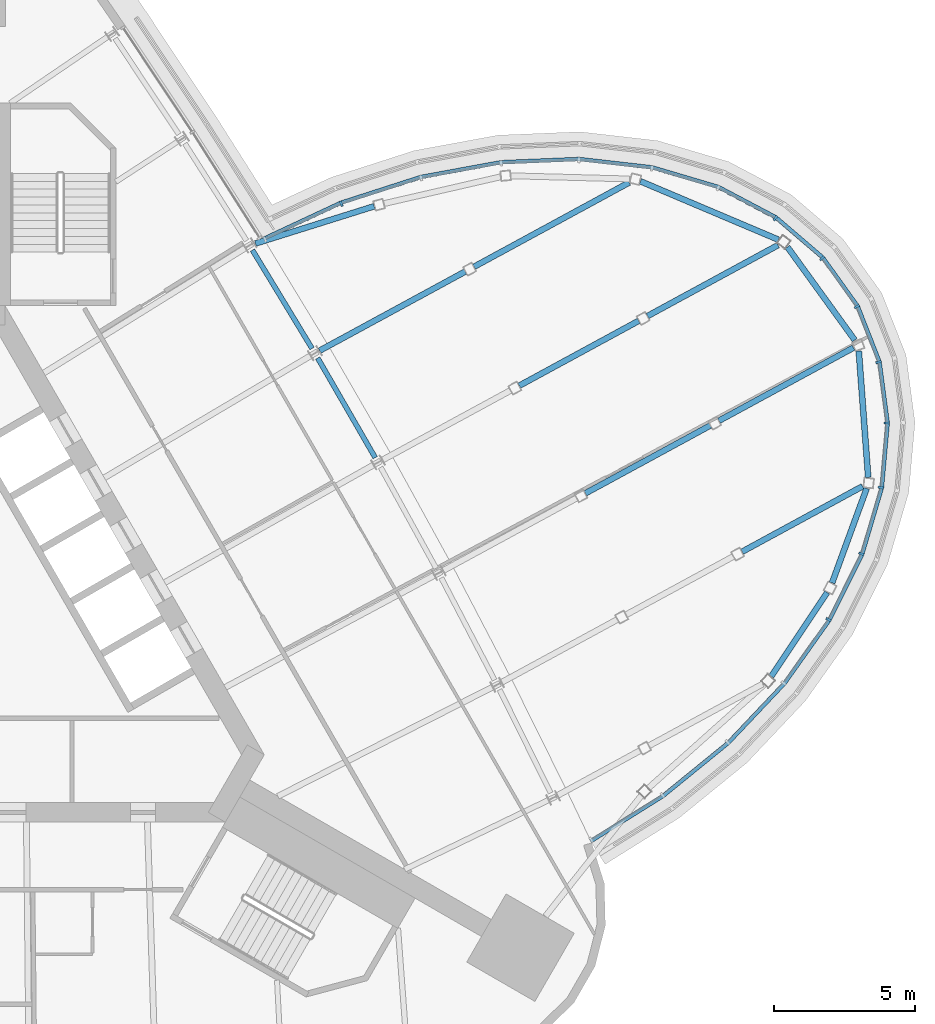
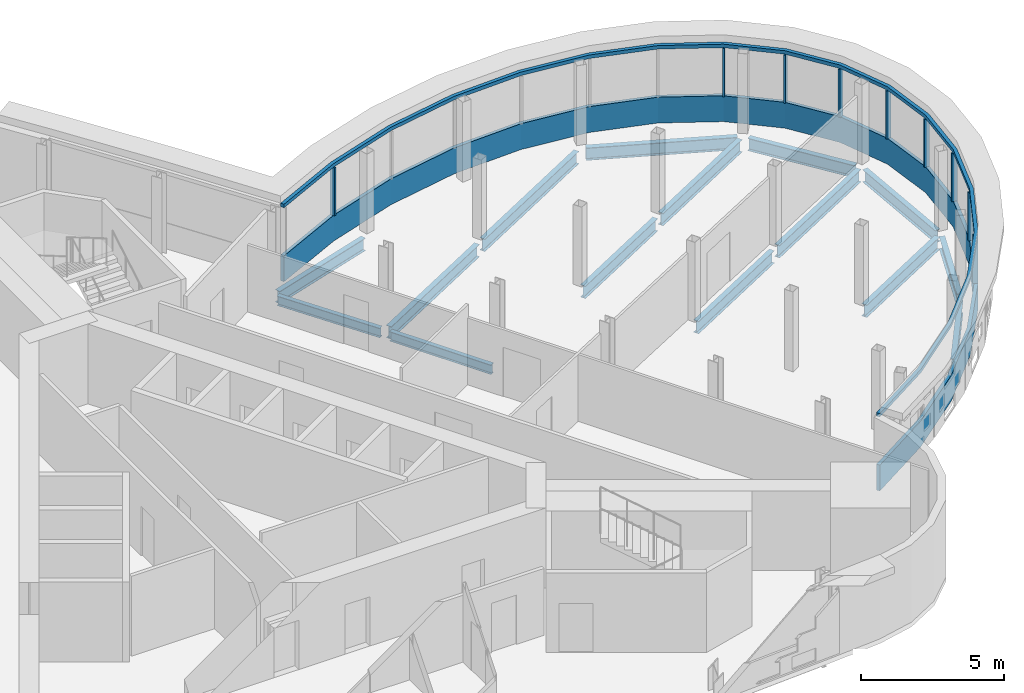
# One storey, part 7 of 15: 15 beams, 11 members, 1 element without a shape of its own.
"""IFC4 building model written with IfcOpenShell, lengths in metres."""

from ifc_helpers import new_model, si_unit, direction, frame, origin, origin_2d, place, context, subcontext, project, spatial, polyline, rectangle, i_section, outline, extrude, material, material_profile, profile_set, type_object, element, aggregate, save


model = new_model("IFC4")

# Units and contexts
model_context = context("Model", 3, precision=1e-05, world=origin(), true_north=direction((0.0, 1.0)))
body_context = subcontext(model_context, "Body", "Model", "MODEL_VIEW")
ifc_project = project(units=[si_unit("LENGTHUNIT", "METRE"), si_unit("AREAUNIT", "SQUARE_METRE"), si_unit("VOLUMEUNIT", "CUBIC_METRE"), si_unit("PLANEANGLEUNIT", "RADIAN"), si_unit("MASSUNIT", "GRAM", prefix="KILO")], contexts=[model_context])

# Site, building, storey
site_placement = place(None, origin())
site = spatial("IfcSite", under=ifc_project, at=site_placement, CompositionType="ELEMENT")
building_placement = place(site_placement, origin())
building = spatial("IfcBuilding", under=site, at=building_placement, Name="Noor Cloister Tower", CompositionType="ELEMENT")
storey_placement = place(building_placement, frame((0.0, 0.0, 177.89990234375)))
storey = spatial("IfcBuildingStorey", under=building, at=storey_placement, Name="L45", CompositionType="ELEMENT", Elevation=177.89990234375)

# Curtain wall, members
ifc_material_1 = material(Name="Aluminium 6063-T6 anodised", Category="aluminium")
curtain_wall_type = type_object("IfcCurtainWallType", Name="Sky bar curtain wall, lower bars CW2", PredefinedType="NOTDEFINED", material=ifc_material_1)
curtain_wall_placement = place(storey_placement, origin())
curtain_wall = element("IfcCurtainWall", 1, at=curtain_wall_placement, inside=storey, type_object=curtain_wall_type, Name="CW2 L45 NE sky bar run 3", PredefinedType="NOTDEFINED")
ifc_material_2 = material(Name="Aluminium 6063-T6 anodised", Category="aluminium")
member_type_1 = type_object("IfcMemberType", Name="Head transom CW2 150", PredefinedType="USERDEFINED", material=ifc_material_2)
member_1_placement = place(storey_placement, frame((0.0, 0.0, 3.150146484375)))
member_1 = element("IfcMember", 2, at=member_1_placement, type_object=member_type_1, Name="CW2 head transom", ObjectType="TRANSOM", PredefinedType="USERDEFINED", context=body_context, shape_type="SweptSolid", body=[
    extrude(outline(polyline([(22.264892578125, -7.662353515625), (24.84619140625, -6.048095703125), (27.17138671875, -4.155517578125), (29.16943359375, -2.0419921875), (30.780029296875, 0.22802734375), (31.953857421875, 2.5859375), (32.65576171875, 4.959716796875), (32.86376953125, 7.27734375), (32.572021484375, 9.468505859375), (31.7890625, 11.466552734375), (30.5390625, 13.210693359375), (28.85986328125, 14.648193359375), (26.80224609375, 15.735107421875), (24.428955078125, 16.4384765625), (21.81201171875, 16.737060546875), (19.03125, 16.62158203125), (16.170654296875, 16.095947265625), (13.3173828125, 15.175537109375), (10.55810546875, 13.888671875), (10.617431640625, 13.76171875), (13.36865234375, 15.044921875), (16.204833984375, 15.959716796875), (19.046875, 16.482177734375), (21.80712890625, 16.5966796875), (24.40087890625, 16.30078125), (26.749267578125, 15.60498046875), (28.780517578125, 14.53173828125), (30.435302734375, 13.115478515625), (31.665283203125, 11.399169921875), (32.435546875, 9.43310546875), (32.722900390625, 7.2744140625), (32.517333984375, 4.986083984375), (31.8232421875, 2.637451171875), (30.65966796875, 0.30029296875), (29.06103515625, -1.952880859375), (27.075927734375, -4.052490234375), (24.7646484375, -5.933837890625), (22.190673828125, -7.54345703125), (22.264892578125, -7.662353515625)])), origin(), (0.0, 0.0, 1.0), 0.14990234375),
])
ifc_material_3 = material(Name="Aluminium 6063-T6 anodised", Category="aluminium")
ifc_material_profile_1 = material_profile(ifc_material_3, rectangle(XDim=0.199951171875, YDim=0.080078125, at=origin_2d()), Name="200 x 80 mullion")
ifc_profile_set_1 = profile_set([ifc_material_profile_1], Name="Aluminium 6063-T6 anodised")
member_type_2 = type_object("IfcMemberType", Name="Mullion CW2 80 x 200", PredefinedType="MULLION", material=ifc_profile_set_1)
member_2_placement = place(storey_placement, frame((30.694091796875, 0.27978515625, 1.10009765625), z_axis=(0.0, 0.0, 1.0), x_axis=(-0.857964763902, 0.513708539838, 0.0)))
member_2 = element("IfcMember", 3, at=member_2_placement, type_object=member_type_2, Name="CW2 mullion 5", PredefinedType="MULLION", context=body_context, shape_type="SweptSolid", body=[
    extrude(rectangle(XDim=0.199951171875, YDim=0.080078125, at=origin_2d()), origin(), (0.0, 0.0, 1.0), 2.050048828125),
])
member_3_placement = place(storey_placement, frame((31.860595703125, 2.62255859375, 1.10009765625), z_axis=(0.0, 0.0, 1.0), x_axis=(-0.930621457837, 0.36598319936, 0.0)))
member_3 = element("IfcMember", 4, at=member_3_placement, type_object=member_type_2, Name="CW2 mullion 6", PredefinedType="MULLION", context=body_context, shape_type="SweptSolid", body=[
    extrude(rectangle(XDim=0.199951171875, YDim=0.080078125, at=origin_2d()), origin(), (0.0, 0.0, 1.0), 2.050048828125),
])
member_4_placement = place(storey_placement, frame((32.556884765625, 4.978515625, 1.10009765625), z_axis=(0.0, 0.0, 1.0), x_axis=(-0.982289781945, 0.187368044999, 0.0)))
member_4 = element("IfcMember", 5, at=member_4_placement, type_object=member_type_2, Name="CW2 mullion 7", PredefinedType="MULLION", context=body_context, shape_type="SweptSolid", body=[
    extrude(rectangle(XDim=0.199951171875, YDim=0.080078125, at=origin_2d()), origin(), (0.0, 0.0, 1.0), 2.050048828125),
])
member_5_placement = place(storey_placement, frame((32.76318359375, 7.275146484375, 1.10009765625), z_axis=(0.0, 0.0, 1.0), x_axis=(-0.999770679664, -0.021414669843, 0.0)))
member_5 = element("IfcMember", 6, at=member_5_placement, type_object=member_type_2, Name="CW2 mullion 8", PredefinedType="MULLION", context=body_context, shape_type="SweptSolid", body=[
    extrude(rectangle(XDim=0.199951171875, YDim=0.080078125, at=origin_2d()), origin(), (0.0, 0.0, 1.0), 2.050048828125),
])
member_6_placement = place(storey_placement, frame((32.474365234375, 9.443359375, 1.10009765625), z_axis=(0.0, 0.0, 1.0), x_axis=(-0.968191923464, -0.250208711558, 0.0)))
member_6 = element("IfcMember", 7, at=member_6_placement, type_object=member_type_2, Name="CW2 mullion 9", PredefinedType="MULLION", context=body_context, shape_type="SweptSolid", body=[
    extrude(rectangle(XDim=0.199951171875, YDim=0.080078125, at=origin_2d()), origin(), (0.0, 0.0, 1.0), 2.050048828125),
])
member_7_placement = place(storey_placement, frame((31.70068359375, 11.41845703125, 1.10009765625), z_axis=(0.0, 0.0, 1.0), x_axis=(-0.878721831254, -0.477334205015, 0.0)))
member_7 = element("IfcMember", 8, at=member_7_placement, type_object=member_type_2, Name="CW2 mullion 10", PredefinedType="MULLION", context=body_context, shape_type="SweptSolid", body=[
    extrude(rectangle(XDim=0.199951171875, YDim=0.080078125, at=origin_2d()), origin(), (0.0, 0.0, 1.0), 2.050048828125),
])
member_8_placement = place(storey_placement, frame((30.46484375, 13.142578125, 1.10009765625), z_axis=(0.0, 0.0, 1.0), x_axis=(-0.736887925537, -0.676014929715, 0.0)))
member_8 = element("IfcMember", 9, at=member_8_placement, type_object=member_type_2, Name="CW2 mullion 11", PredefinedType="MULLION", context=body_context, shape_type="SweptSolid", body=[
    extrude(rectangle(XDim=0.199951171875, YDim=0.080078125, at=origin_2d()), origin(), (0.0, 0.0, 1.0), 2.050048828125),
])
member_9_placement = place(storey_placement, frame((28.80322265625, 14.56494140625, 1.10009765625), z_axis=(0.0, 0.0, 1.0), x_axis=(-0.562143787996, -0.827039516358, 0.0)))
member_9 = element("IfcMember", 10, at=member_9_placement, type_object=member_type_2, Name="CW2 mullion 12", PredefinedType="MULLION", context=body_context, shape_type="SweptSolid", body=[
    extrude(rectangle(XDim=0.199951171875, YDim=0.080078125, at=origin_2d()), origin(), (0.0, 0.0, 1.0), 2.050048828125),
])
member_10_placement = place(storey_placement, frame((13.35400390625, 15.082275390625, 1.10009765625), z_axis=(0.0, 0.0, 1.0), x_axis=(0.36553306319, -0.930798356098, 0.0)))
member_10 = element("IfcMember", 11, at=member_10_placement, type_object=member_type_2, Name="CW2 mullion 18", PredefinedType="MULLION", context=body_context, shape_type="SweptSolid", body=[
    extrude(rectangle(XDim=0.199951171875, YDim=0.080078125, at=origin_2d()), origin(), (0.0, 0.0, 1.0), 2.050048828125),
])

# Beams
ifc_material_4 = material(Name="Steel ASTM A992 Gr 50", Category="steel")
ifc_material_profile_2 = material_profile(ifc_material_4, i_section(OverallWidth=0.208984375, OverallDepth=0.532958984375, WebThickness=0.01025390625, FlangeThickness=0.015625, FilletRadius=0.0126953125, at=origin_2d()), Name="W530x92")
ifc_profile_set_2 = profile_set([ifc_material_profile_2], Name="Steel ASTM A992 Gr 50")
beam_type_1 = type_object("IfcBeamType", Name="Pod floor beam W530x92", PredefinedType="BEAM", material=ifc_profile_set_2)
beam_1_placement = place(storey_placement, frame((27.616943359375, 2.6962890625, -0.46630859375), z_axis=(0.878711251996, 0.477353679796, 0.0), x_axis=(-0.477353679796, 0.878711251996, 0.0)))
element("IfcBeam", 12, at=beam_1_placement, inside=storey, type_object=beam_type_1, Name="Pod floor beam 3 L45 line 2 span 3", PredefinedType="BEAM", context=body_context, shape_type="SweptSolid", body=[
    extrude(i_section(OverallWidth=0.208984375, OverallDepth=0.532958984375, WebThickness=0.01025390625, FlangeThickness=0.015625, FilletRadius=0.0126953125, at=origin_2d()), origin(), (0.0, 0.0, 1.0), 4.876708984375),
])
beam_2_placement = place(storey_placement, frame((22.03955078125, 4.773681640625, -0.46630859375), z_axis=(0.878731937181, 0.477315600603, 0.0), x_axis=(-0.477315600603, 0.878731937181, 0.0)))
element("IfcBeam", 13, at=beam_2_placement, inside=storey, type_object=beam_type_1, Name="Pod floor beam 3 L45 line 3 span 2", PredefinedType="BEAM", context=body_context, shape_type="SweptSolid", body=[
    extrude(i_section(OverallWidth=0.208984375, OverallDepth=0.532958984375, WebThickness=0.01025390625, FlangeThickness=0.015625, FilletRadius=0.0126953125, at=origin_2d()), origin(), (0.0, 0.0, 1.0), 5.056640625),
])
beam_3_placement = place(storey_placement, frame((26.795654296875, 7.357421875, -0.46630859375), z_axis=(0.878728777116, 0.477321418196, 0.0), x_axis=(-0.477321418196, 0.878728777116, 0.0)))
element("IfcBeam", 14, at=beam_3_placement, inside=storey, type_object=beam_type_1, Name="Pod floor beam 3 L45 line 3 span 3", PredefinedType="BEAM", context=body_context, shape_type="SweptSolid", body=[
    extrude(i_section(OverallWidth=0.208984375, OverallDepth=0.532958984375, WebThickness=0.01025390625, FlangeThickness=0.015625, FilletRadius=0.0126953125, at=origin_2d()), origin(), (0.0, 0.0, 1.0), 5.44482421875),
])
beam_4_placement = place(storey_placement, frame((19.6875, 8.603759765625, -0.46630859375), z_axis=(0.878731276568, 0.47731681678, 0.0), x_axis=(-0.47731681678, 0.878731276568, 0.0)))
element("IfcBeam", 15, at=beam_4_placement, inside=storey, type_object=beam_type_1, Name="Pod floor beam 3 L45 line 4 span 2", PredefinedType="BEAM", context=body_context, shape_type="SweptSolid", body=[
    extrude(i_section(OverallWidth=0.208984375, OverallDepth=0.532958984375, WebThickness=0.01025390625, FlangeThickness=0.015625, FilletRadius=0.0126953125, at=origin_2d()), origin(), (0.0, 0.0, 1.0), 4.837646484375),
])
beam_5_placement = place(storey_placement, frame((24.251220703125, 11.082763671875, -0.46630859375), z_axis=(0.878717215185, 0.477342702612, 0.0), x_axis=(-0.477342702612, 0.878717215185, 0.0)))
element("IfcBeam", 16, at=beam_5_placement, inside=storey, type_object=beam_type_1, Name="Pod floor beam 3 L45 line 4 span 3", PredefinedType="BEAM", context=body_context, shape_type="SweptSolid", body=[
    extrude(i_section(OverallWidth=0.208984375, OverallDepth=0.532958984375, WebThickness=0.01025390625, FlangeThickness=0.015625, FilletRadius=0.0126953125, at=origin_2d()), origin(), (0.0, 0.0, 1.0), 5.283447265625),
])
beam_6_placement = place(storey_placement, frame((12.58544921875, 9.851806640625, -0.46630859375), z_axis=(0.878721935652, 0.47733401283, 0.0), x_axis=(-0.47733401283, 0.878721935652, 0.0)))
element("IfcBeam", 17, at=beam_6_placement, inside=storey, type_object=beam_type_1, Name="Pod floor beam 3 L45 line 5 span 1", PredefinedType="BEAM", context=body_context, shape_type="SweptSolid", body=[
    extrude(i_section(OverallWidth=0.208984375, OverallDepth=0.532958984375, WebThickness=0.01025390625, FlangeThickness=0.015625, FilletRadius=0.0126953125, at=origin_2d()), origin(), (0.0, 0.0, 1.0), 5.895751953125),
])
beam_7_placement = place(storey_placement, frame((18.078857421875, 12.8359375, -0.46630859375), z_axis=(0.878731888817, 0.47731568964, 0.0), x_axis=(-0.47731568964, 0.878731888817, 0.0)))
element("IfcBeam", 18, at=beam_7_placement, inside=storey, type_object=beam_type_1, Name="Pod floor beam 3 L45 line 5 span 2", PredefinedType="BEAM", context=body_context, shape_type="SweptSolid", body=[
    extrude(i_section(OverallWidth=0.208984375, OverallDepth=0.532958984375, WebThickness=0.01025390625, FlangeThickness=0.015625, FilletRadius=0.0126953125, at=origin_2d()), origin(), (0.0, 0.0, 1.0), 6.281982421875),
])
beam_8_placement = place(storey_placement, frame((28.650634765625, -1.742431640625, -0.46630859375), z_axis=(0.555154691443, 0.83174711816, 0.0), x_axis=(-0.83174711816, 0.555154691443, 0.0)))
element("IfcBeam", 19, at=beam_8_placement, inside=storey, type_object=beam_type_1, Name="Pod floor beam 3 L45 ring 3", PredefinedType="BEAM", context=body_context, shape_type="SweptSolid", body=[
    extrude(i_section(OverallWidth=0.208984375, OverallDepth=0.532958984375, WebThickness=0.01025390625, FlangeThickness=0.015625, FilletRadius=0.0126953125, at=origin_2d()), origin(), (0.0, 0.0, 1.0), 3.59423828125),
])
beam_9_placement = place(storey_placement, frame((30.818359375, 1.586669921875, -0.46630859375), z_axis=(0.343725354241, 0.93907022147, 0.0), x_axis=(-0.93907022147, 0.343725354241, 0.0)))
element("IfcBeam", 20, at=beam_9_placement, inside=storey, type_object=beam_type_1, Name="Pod floor beam 3 L45 ring 4", PredefinedType="BEAM", context=body_context, shape_type="SweptSolid", body=[
    extrude(i_section(OverallWidth=0.208984375, OverallDepth=0.532958984375, WebThickness=0.01025390625, FlangeThickness=0.015625, FilletRadius=0.0126953125, at=origin_2d()), origin(), (0.0, 0.0, 1.0), 3.578369140625),
])
beam_10_placement = place(storey_placement, frame((32.104736328125, 5.34326171875, -0.46630859375), z_axis=(-0.07447217853, 0.997223091703, 0.0), x_axis=(-0.997223091703, -0.07447217853, 0.0)))
element("IfcBeam", 21, at=beam_10_placement, inside=storey, type_object=beam_type_1, Name="Pod floor beam 3 L45 ring 5", PredefinedType="BEAM", context=body_context, shape_type="SweptSolid", body=[
    extrude(i_section(OverallWidth=0.208984375, OverallDepth=0.532958984375, WebThickness=0.01025390625, FlangeThickness=0.015625, FilletRadius=0.0126953125, at=origin_2d()), origin(), (0.0, 0.0, 1.0), 4.507568359375),
])
beam_11_placement = place(storey_placement, frame((31.62646484375, 10.225830078125, -0.46630859375), z_axis=(-0.586011381692, 0.810302820264, 0.0), x_axis=(-0.810302820264, -0.586011381692, 0.0)))
element("IfcBeam", 22, at=beam_11_placement, inside=storey, type_object=beam_type_1, Name="Pod floor beam 3 L45 ring 6", PredefinedType="BEAM", context=body_context, shape_type="SweptSolid", body=[
    extrude(i_section(OverallWidth=0.208984375, OverallDepth=0.532958984375, WebThickness=0.01025390625, FlangeThickness=0.015625, FilletRadius=0.0126953125, at=origin_2d()), origin(), (0.0, 0.0, 1.0), 4.089599609375),
])
beam_12_placement = place(storey_placement, frame((28.9091796875, 13.798828125, -0.46630859375), z_axis=(-0.920809730777, 0.390012102, 0.0), x_axis=(-0.390012102, -0.920809730777, 0.0)))
element("IfcBeam", 23, at=beam_12_placement, inside=storey, type_object=beam_type_1, Name="Pod floor beam 3 L45 ring 7", PredefinedType="BEAM", context=body_context, shape_type="SweptSolid", body=[
    extrude(i_section(OverallWidth=0.208984375, OverallDepth=0.532958984375, WebThickness=0.01025390625, FlangeThickness=0.015625, FilletRadius=0.0126953125, at=origin_2d()), origin(), (0.0, 0.0, 1.0), 5.3291015625),
])
beam_13_placement = place(storey_placement, frame((14.526611328125, 14.9892578125, -0.46630859375), z_axis=(-0.954214704742, -0.299122545546, 0.0), x_axis=(0.299122545546, -0.954214704742, 0.0)))
element("IfcBeam", 24, at=beam_13_placement, inside=storey, type_object=beam_type_1, Name="Pod floor beam 3 L45 ring 10", PredefinedType="BEAM", context=body_context, shape_type="SweptSolid", body=[
    extrude(i_section(OverallWidth=0.208984375, OverallDepth=0.532958984375, WebThickness=0.01025390625, FlangeThickness=0.015625, FilletRadius=0.0126953125, at=origin_2d()), origin(), (0.0, 0.0, 1.0), 4.427734375),
])

# Member
ifc_material_5 = material(Name="Aluminium 6063-T6 anodised", Category="aluminium")
member_type_3 = type_object("IfcMemberType", Name="Sill transom CW2 1100", PredefinedType="USERDEFINED", material=ifc_material_5)
member_11_placement = place(storey_placement, origin())
member_11 = element("IfcMember", 25, at=member_11_placement, type_object=member_type_3, Name="CW2 sill transom", ObjectType="TRANSOM", PredefinedType="USERDEFINED", context=body_context, shape_type="SweptSolid", body=[
    extrude(outline(polyline([(22.264892578125, -7.662353515625), (24.84619140625, -6.048095703125), (27.17138671875, -4.155517578125), (29.16943359375, -2.0419921875), (30.780029296875, 0.22802734375), (31.953857421875, 2.5859375), (32.65576171875, 4.959716796875), (32.86376953125, 7.27734375), (32.572021484375, 9.468505859375), (31.7890625, 11.466552734375), (30.5390625, 13.210693359375), (28.85986328125, 14.648193359375), (26.80224609375, 15.735107421875), (24.428955078125, 16.4384765625), (21.81201171875, 16.737060546875), (19.03125, 16.62158203125), (16.170654296875, 16.095947265625), (13.3173828125, 15.175537109375), (10.55810546875, 13.888671875), (10.617431640625, 13.76171875), (13.36865234375, 15.044921875), (16.204833984375, 15.959716796875), (19.046875, 16.482177734375), (21.80712890625, 16.5966796875), (24.40087890625, 16.30078125), (26.749267578125, 15.60498046875), (28.780517578125, 14.53173828125), (30.435302734375, 13.115478515625), (31.665283203125, 11.399169921875), (32.435546875, 9.43310546875), (32.722900390625, 7.2744140625), (32.517333984375, 4.986083984375), (31.8232421875, 2.637451171875), (30.65966796875, 0.30029296875), (29.06103515625, -1.952880859375), (27.075927734375, -4.052490234375), (24.7646484375, -5.933837890625), (22.190673828125, -7.54345703125), (22.264892578125, -7.662353515625)])), origin(), (0.0, 0.0, 1.0), 1.10009765625),
])

aggregate(curtain_wall, [member_2, member_3, member_4, member_5, member_6, member_7, member_8, member_9, member_10, member_11, member_1])

# Beams
ifc_material_6 = material(Name="Steel ASTM A992 Gr 50", Category="steel")
ifc_material_profile_3 = material_profile(ifc_material_6, i_section(OverallWidth=0.177978515625, OverallDepth=0.406005859375, WebThickness=0.0078125, FlangeThickness=0.0126953125, FilletRadius=0.01025390625, at=origin_2d()), Name="W410x60")
ifc_profile_set_3 = profile_set([ifc_material_profile_3], Name="Steel ASTM A992 Gr 50")
beam_type_2 = type_object("IfcBeamType", Name="Spandrel beam W410x60", PredefinedType="SPANDREL", material=ifc_profile_set_3)
beam_14_placement = place(storey_placement, frame((14.5625, 6.043701171875, -0.40283203125), z_axis=(-0.499980532398, 0.866036643118, 0.0), x_axis=(-0.866036643118, -0.499980532398, 0.0)))
element("IfcBeam", 26, at=beam_14_placement, inside=storey, type_object=beam_type_2, Name="Spandrel beam NE 04 L45", PredefinedType="SPANDREL", context=body_context, shape_type="SweptSolid", body=[
    extrude(i_section(OverallWidth=0.177978515625, OverallDepth=0.406005859375, WebThickness=0.0078125, FlangeThickness=0.0126953125, FilletRadius=0.01025390625, at=origin_2d()), origin(), (0.0, 0.0, 1.0), 4.094482421875),
])
beam_15_placement = place(storey_placement, frame((12.314697265625, 9.9287109375, -0.40283203125), z_axis=(-0.518252817044, 0.85522746543, 0.0), x_axis=(-0.85522746543, -0.518252817044, 0.0)))
element("IfcBeam", 27, at=beam_15_placement, inside=storey, type_object=beam_type_2, Name="Spandrel beam NE 05 L45", PredefinedType="SPANDREL", context=body_context, shape_type="SweptSolid", body=[
    extrude(i_section(OverallWidth=0.177978515625, OverallDepth=0.406005859375, WebThickness=0.0078125, FlangeThickness=0.0126953125, FilletRadius=0.01025390625, at=origin_2d()), origin(), (0.0, 0.0, 1.0), 4.09423828125),
])

save(model, "model.ifc")
